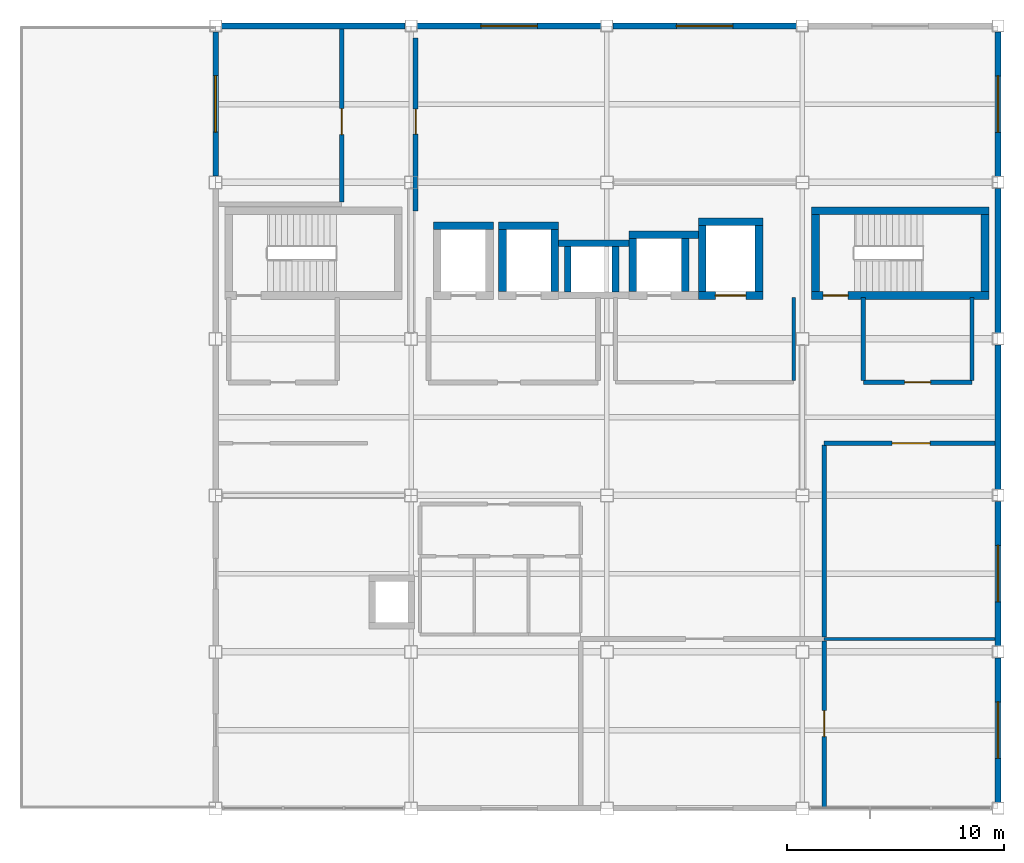
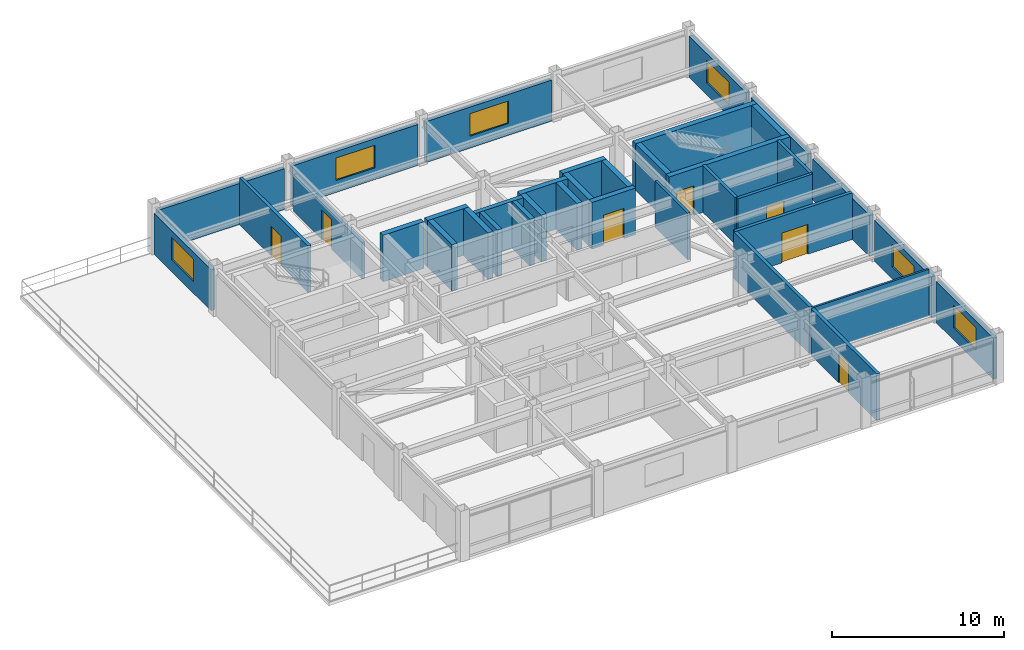
# One storey, part 7 of 11: 37 walls, 7 doors, 6 windows, 13 openings.
"""IFC4 building model written with IfcOpenShell, lengths in metres."""

from ifc_helpers import new_model, si_unit, direction, frame, frame_2d, origin, place, context, subcontext, project, spatial, rectangle, extrude, material, layer, layer_set, type_object, element, fill, save


model = new_model("IFC4")

# Units and contexts
model_context = context("Model", 3, precision=1e-05, world=origin(), true_north=direction((0.0, 1.0)))
body_context = subcontext(model_context, "Body", "Model", "MODEL_VIEW")
ifc_project = project(units=[si_unit("LENGTHUNIT", "METRE"), si_unit("AREAUNIT", "SQUARE_METRE"), si_unit("VOLUMEUNIT", "CUBIC_METRE"), si_unit("PLANEANGLEUNIT", "RADIAN"), si_unit("MASSUNIT", "GRAM", prefix="KILO")], contexts=[model_context])

# Site, building, storey
site_placement = place(None, origin())
site = spatial("IfcSite", under=ifc_project, at=site_placement, CompositionType="ELEMENT")
building_placement = place(site_placement, origin())
building = spatial("IfcBuilding", under=site, at=building_placement, Name="Kazanami Central Library", CompositionType="ELEMENT")
storey_placement = place(building_placement, frame((0.0, 0.0, 24.199951171875)))
storey = spatial("IfcBuildingStorey", under=building, at=storey_placement, Name="L07", CompositionType="ELEMENT", Elevation=24.199951171875)

# Wall
ifc_material_1 = material(Name="Concrete Fc36 (36 MPa)", Category="concrete")
ifc_layer_1 = layer(ifc_material_1, 0.179931640625, Name="Concrete Fc36 (36 MPa)")
ifc_material_2 = material(Name="Extruded Polystyrene XPS", Category="earth")
ifc_layer_2 = layer(ifc_material_2, 0.050048828125, Name="Extruded Polystyrene XPS")
ifc_material_3 = material(Name="Honed Inada Granite", Category="masonry")
ifc_layer_3 = layer(ifc_material_3, 0.030029296875, Name="Honed Inada Granite")
ifc_layer_set_1 = layer_set([ifc_layer_1, ifc_layer_2, ifc_layer_3], Name="Concrete Fc36 (36 MPa)")
wall_type_1 = type_object("IfcWallType", Name="WAL-EW-260", PredefinedType="STANDARD", material=ifc_layer_set_1)
wall_1_placement = place(storey_placement, frame((134.72509765625, 93.60009765625, 0.0), z_axis=(0.0, 0.0, 1.0), x_axis=(-1.0, 0.0, 0.0)))
element("IfcWall", 1, at=wall_1_placement, inside=storey, type_object=wall_type_1, Name="Exterior Facade Wall EW-260 L07 N-O-14", PredefinedType="STANDARD", context=body_context, shape_type="SweptSolid", body=[
    extrude(rectangle(XDim=8.4501953125, YDim=0.260009765625, at=frame_2d((4.22509765625, 0.0))), origin(), (0.0, 0.0, 1.0), 2.920166015625),
])

# Wall, opening, window
wall_2_placement = place(storey_placement, frame((143.72509765625, 93.60009765625, 0.0), z_axis=(0.0, 0.0, 1.0), x_axis=(-1.0, 0.0, 0.0)))
wall_2 = element("IfcWall", 2, at=wall_2_placement, inside=storey, type_object=wall_type_1, Name="Exterior Facade Wall EW-260 L07 N-O-15", PredefinedType="STANDARD", context=body_context, shape_type="SweptSolid", body=[
    extrude(rectangle(XDim=8.4501953125, YDim=0.260009765625, at=frame_2d((4.22509765625, 0.0))), origin(), (0.0, 0.0, 1.0), 2.920166015625),
])
opening_1_placement = place(wall_2_placement, frame((2.925048828125, 0.0, 0.85009765625)))
opening_1 = element("IfcOpeningElement", 3, at=opening_1_placement, cuts=wall_2, Name="Opening WN-13", PredefinedType="OPENING", context=body_context, shape_type="SweptSolid", body=[
    extrude(rectangle(XDim=2.60009765625, YDim=1.60009765625, at=frame_2d((1.300048828125, 0.800048828125))), frame((0.0, 0.14208984375, 0.0), z_axis=(0.0, -1.0, 0.0), x_axis=(1.0, 0.0, 0.0)), (0.0, 0.0, 1.0), 0.283935546875),
])
ifc_material_4 = material(Name="Low-E Insulated Triple Glass", Category="glass")
window_type = type_object("IfcWindowType", Name="WIN-WN-13", PartitioningType="DOUBLE_PANEL_VERTICAL", PredefinedType="WINDOW", material=ifc_material_4)
window_1_placement = place(opening_1_placement, origin())
window_1 = element("IfcWindow", 4, at=window_1_placement, inside=storey, type_object=window_type, Name="Facade Window WN-13 L07 N-O-15", OverallHeight=1.60009765625, OverallWidth=2.60009765625, PartitioningType="DOUBLE_PANEL_VERTICAL", PredefinedType="WINDOW", context=body_context, shape_type="SweptSolid", body=[
    extrude(rectangle(XDim=2.60009765625, YDim=1.60009765625, at=frame_2d((1.300048828125, 0.800048828125))), frame((0.0, 0.030029296875, 0.0), z_axis=(0.0, -1.0, 0.0), x_axis=(1.0, 0.0, 0.0)), (0.0, 0.0, 1.0), 0.06005859375),
])
fill(opening_1, window_1)

wall_3_placement = place(storey_placement, frame((152.72509765625, 93.60009765625, 0.0), z_axis=(0.0, 0.0, 1.0), x_axis=(-1.0, 0.0, 0.0)))
wall_3 = element("IfcWall", 5, at=wall_3_placement, inside=storey, type_object=wall_type_1, Name="Exterior Facade Wall EW-260 L07 N-O-16", PredefinedType="STANDARD", context=body_context, shape_type="SweptSolid", body=[
    extrude(rectangle(XDim=8.4501953125, YDim=0.260009765625, at=frame_2d((4.22509765625, 0.0))), origin(), (0.0, 0.0, 1.0), 2.920166015625),
])
opening_2_placement = place(wall_3_placement, frame((2.925048828125, 0.0, 0.85009765625)))
opening_2 = element("IfcOpeningElement", 6, at=opening_2_placement, cuts=wall_3, Name="Opening WN-13", PredefinedType="OPENING", context=body_context, shape_type="SweptSolid", body=[
    extrude(rectangle(XDim=2.60009765625, YDim=1.60009765625, at=frame_2d((1.300048828125, 0.800048828125))), frame((0.0, 0.14208984375, 0.0), z_axis=(0.0, -1.0, 0.0), x_axis=(1.0, 0.0, 0.0)), (0.0, 0.0, 1.0), 0.283935546875),
])
window_2_placement = place(opening_2_placement, origin())
window_2 = element("IfcWindow", 7, at=window_2_placement, inside=storey, type_object=window_type, Name="Facade Window WN-13 L07 N-O-16", OverallHeight=1.60009765625, OverallWidth=2.60009765625, PartitioningType="DOUBLE_PANEL_VERTICAL", PredefinedType="WINDOW", context=body_context, shape_type="SweptSolid", body=[
    extrude(rectangle(XDim=2.60009765625, YDim=1.60009765625, at=frame_2d((1.300048828125, 0.800048828125))), frame((0.0, 0.030029296875, 0.0), z_axis=(0.0, -1.0, 0.0), x_axis=(1.0, 0.0, 0.0)), (0.0, 0.0, 1.0), 0.06005859375),
])
fill(opening_2, window_2)

wall_4_placement = place(storey_placement, frame((126.0, 86.699951171875, 0.0), z_axis=(0.0, 0.0, 1.0), x_axis=(0.0, 1.0, 0.0)))
wall_4 = element("IfcWall", 8, at=wall_4_placement, inside=storey, type_object=wall_type_1, Name="Exterior Facade Wall EW-260 L07 W-15-12", PredefinedType="STANDARD", context=body_context, shape_type="SweptSolid", body=[
    extrude(rectangle(XDim=6.625, YDim=0.260009765625, at=frame_2d((3.3125, 0.0))), origin(), (0.0, 0.0, 1.0), 2.920166015625),
])
opening_3_placement = place(wall_4_placement, frame((2.012451171875, 0.0, 0.85009765625)))
opening_3 = element("IfcOpeningElement", 9, at=opening_3_placement, cuts=wall_4, Name="Opening WN-13", PredefinedType="OPENING", context=body_context, shape_type="SweptSolid", body=[
    extrude(rectangle(XDim=2.60009765625, YDim=1.60009765625, at=frame_2d((1.300048828125, 0.800048828125))), frame((0.0, 0.14208984375, 0.0), z_axis=(0.0, -1.0, 0.0), x_axis=(1.0, 0.0, 0.0)), (0.0, 0.0, 1.0), 0.283935546875),
])
window_3_placement = place(opening_3_placement, origin())
window_3 = element("IfcWindow", 10, at=window_3_placement, inside=storey, type_object=window_type, Name="Facade Window WN-13 L07 W-15-12", OverallHeight=1.60009765625, OverallWidth=2.60009765625, PartitioningType="DOUBLE_PANEL_VERTICAL", PredefinedType="WINDOW", context=body_context, shape_type="SweptSolid", body=[
    extrude(rectangle(XDim=2.60009765625, YDim=1.60009765625, at=frame_2d((1.300048828125, 0.800048828125))), frame((0.0, 0.030029296875, 0.0), z_axis=(0.0, -1.0, 0.0), x_axis=(1.0, 0.0, 0.0)), (0.0, 0.0, 1.0), 0.06005859375),
])
fill(opening_3, window_3)

wall_5_placement = place(storey_placement, frame((162.0, 64.52490234375, 0.0), z_axis=(0.0, 0.0, 1.0), x_axis=(0.0, -1.0, 0.0)))
wall_5 = element("IfcWall", 11, at=wall_5_placement, inside=storey, type_object=wall_type_1, Name="Exterior Facade Wall EW-260 L07 E-19-08", PredefinedType="STANDARD", context=body_context, shape_type="SweptSolid", body=[
    extrude(rectangle(XDim=6.64990234375, YDim=0.260009765625, at=frame_2d((3.324951171875, 0.0))), origin(), (0.0, 0.0, 1.0), 2.920166015625),
])
opening_4_placement = place(wall_5_placement, frame((2.02490234375, 0.0, 0.85009765625)))
opening_4 = element("IfcOpeningElement", 12, at=opening_4_placement, cuts=wall_5, Name="Opening WN-13", PredefinedType="OPENING", context=body_context, shape_type="SweptSolid", body=[
    extrude(rectangle(XDim=2.60009765625, YDim=1.60009765625, at=frame_2d((1.300048828125, 0.800048828125))), frame((0.0, 0.14208984375, 0.0), z_axis=(0.0, -1.0, 0.0), x_axis=(1.0, 0.0, 0.0)), (0.0, 0.0, 1.0), 0.283935546875),
])
window_4_placement = place(opening_4_placement, origin())
window_4 = element("IfcWindow", 13, at=window_4_placement, inside=storey, type_object=window_type, Name="Facade Window WN-13 L07 E-19-08", OverallHeight=1.60009765625, OverallWidth=2.60009765625, PartitioningType="DOUBLE_PANEL_VERTICAL", PredefinedType="WINDOW", context=body_context, shape_type="SweptSolid", body=[
    extrude(rectangle(XDim=2.60009765625, YDim=1.60009765625, at=frame_2d((1.300048828125, 0.800048828125))), frame((0.0, 0.030029296875, 0.0), z_axis=(0.0, -1.0, 0.0), x_axis=(1.0, 0.0, 0.0)), (0.0, 0.0, 1.0), 0.06005859375),
])
fill(opening_4, window_4)

wall_6_placement = place(storey_placement, frame((162.0, 71.72509765625, 0.0), z_axis=(0.0, 0.0, 1.0), x_axis=(0.0, -1.0, 0.0)))
wall_6 = element("IfcWall", 14, at=wall_6_placement, inside=storey, type_object=wall_type_1, Name="Exterior Facade Wall EW-260 L07 E-19-09", PredefinedType="STANDARD", context=body_context, shape_type="SweptSolid", body=[
    extrude(rectangle(XDim=6.650146484375, YDim=0.260009765625, at=frame_2d((3.3251953125, 0.0))), origin(), (0.0, 0.0, 1.0), 2.920166015625),
])
opening_5_placement = place(wall_6_placement, frame((2.02490234375, 0.0, 0.85009765625)))
opening_5 = element("IfcOpeningElement", 15, at=opening_5_placement, cuts=wall_6, Name="Opening WN-13", PredefinedType="OPENING", context=body_context, shape_type="SweptSolid", body=[
    extrude(rectangle(XDim=2.60009765625, YDim=1.60009765625, at=frame_2d((1.300048828125, 0.800048828125))), frame((0.0, 0.14208984375, 0.0), z_axis=(0.0, -1.0, 0.0), x_axis=(1.0, 0.0, 0.0)), (0.0, 0.0, 1.0), 0.283935546875),
])
window_5_placement = place(opening_5_placement, origin())
window_5 = element("IfcWindow", 16, at=window_5_placement, inside=storey, type_object=window_type, Name="Facade Window WN-13 L07 E-19-09", OverallHeight=1.60009765625, OverallWidth=2.60009765625, PartitioningType="DOUBLE_PANEL_VERTICAL", PredefinedType="WINDOW", context=body_context, shape_type="SweptSolid", body=[
    extrude(rectangle(XDim=2.60009765625, YDim=1.60009765625, at=frame_2d((1.300048828125, 0.800048828125))), frame((0.0, 0.030029296875, 0.0), z_axis=(0.0, -1.0, 0.0), x_axis=(1.0, 0.0, 0.0)), (0.0, 0.0, 1.0), 0.06005859375),
])
fill(opening_5, window_5)

# Walls
wall_7_placement = place(storey_placement, frame((162.0, 78.925048828125, 0.0), z_axis=(0.0, 0.0, 1.0), x_axis=(0.0, -1.0, 0.0)))
element("IfcWall", 17, at=wall_7_placement, inside=storey, type_object=wall_type_1, Name="Exterior Facade Wall EW-260 L07 E-19-10", PredefinedType="STANDARD", context=body_context, shape_type="SweptSolid", body=[
    extrude(rectangle(XDim=6.650146484375, YDim=0.260009765625, at=frame_2d((3.3251953125, 0.0))), origin(), (0.0, 0.0, 1.0), 2.920166015625),
])
wall_8_placement = place(storey_placement, frame((162.0, 86.125, 0.0), z_axis=(0.0, 0.0, 1.0), x_axis=(0.0, -1.0, 0.0)))
element("IfcWall", 18, at=wall_8_placement, inside=storey, type_object=wall_type_1, Name="Exterior Facade Wall EW-260 L07 E-19-11", PredefinedType="STANDARD", context=body_context, shape_type="SweptSolid", body=[
    extrude(rectangle(XDim=6.64990234375, YDim=0.260009765625, at=frame_2d((3.324951171875, 0.0))), origin(), (0.0, 0.0, 1.0), 2.920166015625),
])

# Wall, opening, window
wall_9_placement = place(storey_placement, frame((162.0, 93.324951171875, 0.0), z_axis=(0.0, 0.0, 1.0), x_axis=(0.0, -1.0, 0.0)))
wall_9 = element("IfcWall", 19, at=wall_9_placement, inside=storey, type_object=wall_type_1, Name="Exterior Facade Wall EW-260 L07 E-19-12", PredefinedType="STANDARD", context=body_context, shape_type="SweptSolid", body=[
    extrude(rectangle(XDim=6.64990234375, YDim=0.260009765625, at=frame_2d((3.324951171875, 0.0))), origin(), (0.0, 0.0, 1.0), 2.920166015625),
])
opening_6_placement = place(wall_9_placement, frame((2.02490234375, 0.0, 0.85009765625)))
opening_6 = element("IfcOpeningElement", 20, at=opening_6_placement, cuts=wall_9, Name="Opening WN-13", PredefinedType="OPENING", context=body_context, shape_type="SweptSolid", body=[
    extrude(rectangle(XDim=2.60009765625, YDim=1.60009765625, at=frame_2d((1.300048828125, 0.800048828125))), frame((0.0, 0.14208984375, 0.0), z_axis=(0.0, -1.0, 0.0), x_axis=(1.0, 0.0, 0.0)), (0.0, 0.0, 1.0), 0.283935546875),
])
window_6_placement = place(opening_6_placement, origin())
window_6 = element("IfcWindow", 21, at=window_6_placement, inside=storey, type_object=window_type, Name="Facade Window WN-13 L07 E-19-12", OverallHeight=1.60009765625, OverallWidth=2.60009765625, PartitioningType="DOUBLE_PANEL_VERTICAL", PredefinedType="WINDOW", context=body_context, shape_type="SweptSolid", body=[
    extrude(rectangle(XDim=2.60009765625, YDim=1.60009765625, at=frame_2d((1.300048828125, 0.800048828125))), frame((0.0, 0.030029296875, 0.0), z_axis=(0.0, -1.0, 0.0), x_axis=(1.0, 0.0, 0.0)), (0.0, 0.0, 1.0), 0.06005859375),
])
fill(opening_6, window_6)

# Wall
ifc_material_5 = material(Name="Fire-Resistant Gypsum Board GB-F", Category="gypsum")
ifc_layer_4 = layer(ifc_material_5, 0.1650390625, Name="Fire-Resistant Gypsum Board GB-F")
ifc_layer_set_2 = layer_set([ifc_layer_4], Name="Fire-Resistant Gypsum Board GB-F")
wall_type_2 = type_object("IfcWallType", Name="WAL-FW-165", PredefinedType="PARTITIONING", material=ifc_layer_set_2)
wall_10_placement = place(storey_placement, frame((152.60009765625, 77.2900390625, 0.0), z_axis=(0.0, 0.0, 1.0), x_axis=(0.0, 1.0, 0.0)))
element("IfcWall", 22, at=wall_10_placement, inside=storey, type_object=wall_type_2, Name="Interior Partition FW-165 L07 LOBBY-V2 (East)", PredefinedType="PARTITIONING", context=body_context, shape_type="SweptSolid", body=[
    extrude(rectangle(XDim=3.820068359375, YDim=0.1650390625, at=frame_2d((1.91015625, 0.0))), origin(), (0.0, 0.0, 1.0), 3.320068359375),
])

# Wall, opening, door
ifc_layer_5 = layer(ifc_material_5, 0.199951171875, Name="Fire-Resistant Gypsum Board GB-F")
ifc_layer_set_3 = layer_set([ifc_layer_5], Name="Fire-Resistant Gypsum Board GB-F")
wall_type_3 = type_object("IfcWallType", Name="WAL-FW-200", PredefinedType="PARTITIONING", material=ifc_layer_set_3)
wall_11_placement = place(storey_placement, frame((155.800048828125, 77.199951171875, 0.0), z_axis=(0.0, 0.0, 1.0), x_axis=(1.0, 0.0, 0.0)))
wall_11 = element("IfcWall", 23, at=wall_11_placement, inside=storey, type_object=wall_type_3, Name="Interior Partition FW-200 L07 VEST-ST-02 (South)", PredefinedType="PARTITIONING", context=body_context, shape_type="SweptSolid", body=[
    extrude(rectangle(XDim=5.0, YDim=0.199951171875, at=frame_2d((2.5, 0.0))), origin(), (0.0, 0.0, 1.0), 3.320068359375),
])
opening_7_placement = place(wall_11_placement, frame((1.89990234375, 0.0, 0.0)))
opening_7 = element("IfcOpeningElement", 24, at=opening_7_placement, cuts=wall_11, Name="Opening FD60-1", PredefinedType="OPENING", context=body_context, shape_type="SweptSolid", body=[
    extrude(rectangle(XDim=1.199951171875, YDim=2.10009765625, at=frame_2d((0.60009765625, 1.050048828125))), frame((0.0, 0.11181640625, 0.0), z_axis=(0.0, -1.0, 0.0), x_axis=(1.0, 0.0, 0.0)), (0.0, 0.0, 1.0), 0.223876953125),
])
ifc_material_6 = material(Name="Cold-Rolled Steel SPCC", Category="steel")
door_type_1 = type_object("IfcDoorType", Name="DOR-FD60-1", OperationType="NOTDEFINED", PredefinedType="DOOR", material=ifc_material_6)
door_1_placement = place(opening_7_placement, origin())
door_1 = element("IfcDoor", 25, at=door_1_placement, inside=storey, type_object=door_type_1, Name="Interior Door FD60-1 L07 VEST-ST-02", OperationType="SINGLE_SWING_LEFT", OverallHeight=2.10009765625, OverallWidth=1.199951171875, PredefinedType="DOOR", context=body_context, shape_type="SweptSolid", body=[
    extrude(rectangle(XDim=1.199951171875, YDim=2.10009765625, at=frame_2d((0.60009765625, 1.050048828125))), frame((0.0, 0.02490234375, 0.0), z_axis=(0.0, -1.0, 0.0), x_axis=(1.0, 0.0, 0.0)), (0.0, 0.0, 1.0), 0.050048828125),
])
fill(opening_7, door_1)

# Walls
for number, where, z_axis, x_axis, name in (
    (26, (155.800048828125, 77.2900390625, 0.0), (0.0, 0.0, 1.0), (0.0, 1.0, 0.0), "Interior Partition FW-200 L07 VEST-ST-02 (West)"),
    (27, (160.800048828125, 77.2900390625, 0.0), (0.0, 0.0, 1.0), (0.0, 1.0, 0.0), "Interior Partition FW-200 L07 VEST-ST-02 (East)"),
):
    element("IfcWall", number, at=place(storey_placement, frame(where, z_axis=z_axis, x_axis=x_axis)), inside=storey, type_object=wall_type_3, Name=name, PredefinedType="PARTITIONING", context=body_context, shape_type="SweptSolid", body=[
        extrude(rectangle(XDim=3.820068359375, YDim=0.199951171875, at=frame_2d((1.91015625, 0.0))), origin(), (0.0, 0.0, 1.0), 3.320068359375),
    ])

# Wall, opening, door
ifc_layer_6 = layer(ifc_material_5, 0.219970703125, Name="Fire-Resistant Gypsum Board GB-F")
ifc_layer_set_4 = layer_set([ifc_layer_6], Name="Fire-Resistant Gypsum Board GB-F")
wall_type_4 = type_object("IfcWallType", Name="WAL-FW-220", PredefinedType="PARTITIONING", material=ifc_layer_set_4)
wall_12_placement = place(storey_placement, frame((154.0, 57.635009765625, 0.0), z_axis=(0.0, 0.0, 1.0), x_axis=(0.0, 1.0, 0.0)))
wall_12 = element("IfcWall", 28, at=wall_12_placement, inside=storey, type_object=wall_type_4, Name="Interior Partition FW-220 L07 RM-06 (East)", PredefinedType="PARTITIONING", context=body_context, shape_type="SweptSolid", body=[
    extrude(rectangle(XDim=7.675048828125, YDim=0.219970703125, at=frame_2d((3.83740234375, 0.0))), origin(), (0.0, 0.0, 1.0), 3.320068359375),
])
opening_8_placement = place(wall_12_placement, frame((3.264892578125, 0.0, 0.0)))
opening_8 = element("IfcOpeningElement", 29, at=opening_8_placement, cuts=wall_12, Name="Opening FD60-1", PredefinedType="OPENING", context=body_context, shape_type="SweptSolid", body=[
    extrude(rectangle(XDim=1.199951171875, YDim=2.10009765625, at=frame_2d((0.60009765625, 1.050048828125))), frame((0.0, 0.1220703125, 0.0), z_axis=(0.0, -1.0, 0.0), x_axis=(1.0, 0.0, 0.0)), (0.0, 0.0, 1.0), 0.243896484375),
])
door_2_placement = place(opening_8_placement, origin())
door_2 = element("IfcDoor", 30, at=door_2_placement, inside=storey, type_object=door_type_1, Name="Interior Door FD60-1 L07 RM-07", OperationType="SINGLE_SWING_RIGHT", OverallHeight=2.10009765625, OverallWidth=1.199951171875, PredefinedType="DOOR", context=body_context, shape_type="SweptSolid", body=[
    extrude(rectangle(XDim=1.199951171875, YDim=2.10009765625, at=frame_2d((0.60009765625, 1.050048828125))), frame((0.0, 0.02490234375, 0.0), z_axis=(0.0, -1.0, 0.0), x_axis=(1.0, 0.0, 0.0)), (0.0, 0.0, 1.0), 0.050048828125),
])
fill(opening_8, door_2)

wall_13_placement = place(storey_placement, frame((154.0, 74.39990234375, 0.0), z_axis=(0.0, 0.0, 1.0), x_axis=(1.0, 0.0, 0.0)))
wall_13 = element("IfcWall", 31, at=wall_13_placement, inside=storey, type_object=wall_type_4, Name="Interior Partition FW-220 L07 RM-08 (North)", PredefinedType="PARTITIONING", context=body_context, shape_type="SweptSolid", body=[
    extrude(rectangle(XDim=7.864990234375, YDim=0.219970703125, at=frame_2d((3.9326171875, 0.0))), origin(), (0.0, 0.0, 1.0), 3.320068359375),
])
opening_9_placement = place(wall_13_placement, frame((3.125, 0.0, 0.0)))
opening_9 = element("IfcOpeningElement", 32, at=opening_9_placement, cuts=wall_13, Name="Opening FD60-5", PredefinedType="OPENING", context=body_context, shape_type="SweptSolid", body=[
    extrude(rectangle(XDim=1.75, YDim=2.1201171875, at=frame_2d((0.875, 1.06005859375))), frame((0.0, 0.1220703125, 0.0), z_axis=(0.0, -1.0, 0.0), x_axis=(1.0, 0.0, 0.0)), (0.0, 0.0, 1.0), 0.243896484375),
])
door_type_2 = type_object("IfcDoorType", Name="DOR-FD60-5", OperationType="DOUBLE_DOOR_SINGLE_SWING", PredefinedType="DOOR", material=ifc_material_6)
door_3_placement = place(opening_9_placement, origin())
door_3 = element("IfcDoor", 33, at=door_3_placement, inside=storey, type_object=door_type_2, Name="Interior Door FD60-5 L07 RM-08", OperationType="DOUBLE_DOOR_SINGLE_SWING", OverallHeight=2.1201171875, OverallWidth=1.75, PredefinedType="DOOR", context=body_context, shape_type="SweptSolid", body=[
    extrude(rectangle(XDim=1.75, YDim=2.1201171875, at=frame_2d((0.875, 1.06005859375))), frame((0.0, 0.02490234375, 0.0), z_axis=(0.0, -1.0, 0.0), x_axis=(1.0, 0.0, 0.0)), (0.0, 0.0, 1.0), 0.050048828125),
])
fill(opening_9, door_3)

# Wall
wall_14_placement = place(storey_placement, frame((154.0, 65.489990234375, 0.0), z_axis=(0.0, 0.0, 1.0), x_axis=(0.0, 1.0, 0.0)))
element("IfcWall", 34, at=wall_14_placement, inside=storey, type_object=wall_type_4, Name="Interior Partition FW-220 L07 RM-08 (West)", PredefinedType="PARTITIONING", context=body_context, shape_type="SweptSolid", body=[
    extrude(rectangle(XDim=8.820068359375, YDim=0.219970703125, at=frame_2d((4.41015625, 0.0))), origin(), (0.0, 0.0, 1.0), 3.320068359375),
])

# Wall, opening, door
wall_15_placement = place(storey_placement, frame((131.800048828125, 85.489990234375, 0.0), z_axis=(0.0, 0.0, 1.0), x_axis=(0.0, 1.0, 0.0)))
wall_15 = element("IfcWall", 35, at=wall_15_placement, inside=storey, type_object=wall_type_4, Name="Interior Partition FW-220 L07 RM-09 (East)", PredefinedType="PARTITIONING", context=body_context, shape_type="SweptSolid", body=[
    extrude(rectangle(XDim=7.97509765625, YDim=0.219970703125, at=frame_2d((3.987548828125, 0.0))), origin(), (0.0, 0.0, 1.0), 3.320068359375),
])
opening_10_placement = place(wall_15_placement, frame((3.110107421875, 0.0, 0.0)))
opening_10 = element("IfcOpeningElement", 36, at=opening_10_placement, cuts=wall_15, Name="Opening FD60-1", PredefinedType="OPENING", context=body_context, shape_type="SweptSolid", body=[
    extrude(rectangle(XDim=1.199951171875, YDim=2.10009765625, at=frame_2d((0.60009765625, 1.050048828125))), frame((0.0, 0.1220703125, 0.0), z_axis=(0.0, -1.0, 0.0), x_axis=(1.0, 0.0, 0.0)), (0.0, 0.0, 1.0), 0.243896484375),
])
door_4_placement = place(opening_10_placement, origin())
door_4 = element("IfcDoor", 37, at=door_4_placement, inside=storey, type_object=door_type_1, Name="Interior Door FD60-1 L07 RM-09", OperationType="SINGLE_SWING_LEFT", OverallHeight=2.10009765625, OverallWidth=1.199951171875, PredefinedType="DOOR", context=body_context, shape_type="SweptSolid", body=[
    extrude(rectangle(XDim=1.199951171875, YDim=2.10009765625, at=frame_2d((0.60009765625, 1.050048828125))), frame((0.0, 0.02490234375, 0.0), z_axis=(0.0, -1.0, 0.0), x_axis=(1.0, 0.0, 0.0)), (0.0, 0.0, 1.0), 0.050048828125),
])
fill(opening_10, door_4)

wall_16_placement = place(storey_placement, frame((135.199951171875, 85.090087890625, 0.0), z_axis=(0.0, 0.0, 1.0), x_axis=(0.0, 1.0, 0.0)))
wall_16 = element("IfcWall", 38, at=wall_16_placement, inside=storey, type_object=wall_type_4, Name="Interior Partition FW-220 L07 RM-10 (West)", PredefinedType="PARTITIONING", context=body_context, shape_type="SweptSolid", body=[
    extrude(rectangle(XDim=7.954833984375, YDim=0.219970703125, at=frame_2d((3.9775390625, 0.0))), origin(), (0.0, 0.0, 1.0), 2.60009765625),
])
opening_11_placement = place(wall_16_placement, frame((3.534912109375, 0.0, 0.0)))
opening_11 = element("IfcOpeningElement", 39, at=opening_11_placement, cuts=wall_16, Name="Opening FD60-2", PredefinedType="OPENING", context=body_context, shape_type="SweptSolid", body=[
    extrude(rectangle(XDim=1.14990234375, YDim=2.10009765625, at=frame_2d((0.574951171875, 1.050048828125))), frame((0.0, 0.1220703125, 0.0), z_axis=(0.0, -1.0, 0.0), x_axis=(1.0, 0.0, 0.0)), (0.0, 0.0, 1.0), 0.243896484375),
])
door_type_3 = type_object("IfcDoorType", Name="DOR-FD60-2", OperationType="NOTDEFINED", PredefinedType="DOOR", material=ifc_material_6)
door_5_placement = place(opening_11_placement, origin())
door_5 = element("IfcDoor", 40, at=door_5_placement, inside=storey, type_object=door_type_3, Name="Interior Door FD60-2 L07 RM-10", OperationType="SINGLE_SWING_RIGHT", OverallHeight=2.10009765625, OverallWidth=1.14990234375, PredefinedType="DOOR", context=body_context, shape_type="SweptSolid", body=[
    extrude(rectangle(XDim=1.14990234375, YDim=2.10009765625, at=frame_2d((0.574951171875, 1.050048828125))), frame((0.0, 0.02490234375, 0.0), z_axis=(0.0, -1.0, 0.0), x_axis=(1.0, 0.0, 0.0)), (0.0, 0.0, 1.0), 0.050048828125),
])
fill(opening_11, door_5)

# Walls
ifc_material_7 = material(Name="Gypsum Plasterboard GB-R", Category="gypsum")
ifc_layer_7 = layer(ifc_material_7, 0.135009765625, Name="Gypsum Plasterboard GB-R")
ifc_layer_set_5 = layer_set([ifc_layer_7], Name="Gypsum Plasterboard GB-R")
wall_type_5 = type_object("IfcWallType", Name="WAL-PW-135", PredefinedType="PARTITIONING", material=ifc_layer_set_5)
wall_17_placement = place(storey_placement, frame((154.0, 65.39990234375, 0.0), z_axis=(0.0, 0.0, 1.0), x_axis=(1.0, 0.0, 0.0)))
element("IfcWall", 41, at=wall_17_placement, inside=storey, type_object=wall_type_5, Name="Interior Partition PW-135 L07 RM-07 (North)", PredefinedType="PARTITIONING", context=body_context, shape_type="SweptSolid", body=[
    extrude(rectangle(XDim=7.864990234375, YDim=0.135009765625, at=frame_2d((3.9326171875, 0.0))), origin(), (0.0, 0.0, 1.0), 3.320068359375),
])
ifc_layer_8 = layer(ifc_material_1, 0.300048828125, Name="Concrete Fc36 (36 MPa)")
ifc_layer_set_6 = layer_set([ifc_layer_8], Name="Concrete Fc36 (36 MPa)")
wall_type_6 = type_object("IfcWallType", Name="WAL-SW-300", PredefinedType="SHEAR", material=ifc_layer_set_6)
wall_18_placement = place(storey_placement, frame((141.77490234375, 83.60009765625, 0.0), z_axis=(0.0, 0.0, 1.0), x_axis=(1.0, 0.0, 0.0)))
element("IfcWall", 42, at=wall_18_placement, inside=storey, type_object=wall_type_6, Name="Service Riser Wall RSR-V2-A N L07", PredefinedType="SHEAR", context=body_context, shape_type="SweptSolid", body=[
    extrude(rectangle(XDim=3.25, YDim=0.300048828125, at=frame_2d((1.625, 0.0))), origin(), (0.0, 0.0, 1.0), 3.320068359375),
])
for number, where, z_axis, x_axis, name in (
    (43, (142.199951171875, 81.35009765625, 0.0), (0.0, 0.0, 1.0), (0.0, 1.0, 0.0), "Service Riser Wall RSR-V2-A W L07"),
    (44, (144.39990234375, 81.35009765625, 0.0), (0.0, 0.0, 1.0), (0.0, 1.0, 0.0), "Service Riser Wall RSR-V2-A E L07"),
):
    element("IfcWall", number, at=place(storey_placement, frame(where, z_axis=z_axis, x_axis=x_axis)), inside=storey, type_object=wall_type_6, Name=name, PredefinedType="SHEAR", context=body_context, shape_type="SweptSolid", body=[
        extrude(rectangle(XDim=2.099853515625, YDim=0.300048828125, at=frame_2d((1.0498046875, 0.0))), origin(), (0.0, 0.0, 1.0), 3.320068359375),
    ])

# Wall, opening, door
ifc_layer_9 = layer(ifc_material_1, 0.35009765625, Name="Concrete Fc36 (36 MPa)")
ifc_layer_set_7 = layer_set([ifc_layer_9], Name="Concrete Fc36 (36 MPa)")
wall_type_7 = type_object("IfcWallType", Name="WAL-SW-350", PredefinedType="SHEAR", material=ifc_layer_set_7)
wall_19_placement = place(storey_placement, frame((153.425048828125, 81.199951171875, 0.0), z_axis=(0.0, 0.0, 1.0), x_axis=(1.0, 0.0, 0.0)))
wall_19 = element("IfcWall", 45, at=wall_19_placement, inside=storey, type_object=wall_type_7, Name="Stair Core Wall ST-02 South L07", PredefinedType="SHEAR", context=body_context, shape_type="SweptSolid", body=[
    extrude(rectangle(XDim=8.14990234375, YDim=0.35009765625, at=frame_2d((4.074951171875, 0.0))), origin(), (0.0, 0.0, 1.0), 3.320068359375),
])
opening_12_placement = place(wall_19_placement, frame((0.52490234375, 0.0, 0.0)))
opening_12 = element("IfcOpeningElement", 46, at=opening_12_placement, cuts=wall_19, Name="Opening FD60-2", PredefinedType="OPENING", context=body_context, shape_type="SweptSolid", body=[
    extrude(rectangle(XDim=1.14990234375, YDim=2.10009765625, at=frame_2d((0.574951171875, 1.050048828125))), frame((0.0, 0.18701171875, 0.0), z_axis=(0.0, -1.0, 0.0), x_axis=(1.0, 0.0, 0.0)), (0.0, 0.0, 1.0), 0.3740234375),
])
door_6_placement = place(opening_12_placement, origin())
door_6 = element("IfcDoor", 47, at=door_6_placement, inside=storey, type_object=door_type_3, Name="Escape Stair ST-02 Fire Door L07", OperationType="SINGLE_SWING_RIGHT", OverallHeight=2.10009765625, OverallWidth=1.14990234375, PredefinedType="DOOR", context=body_context, shape_type="SweptSolid", body=[
    extrude(rectangle(XDim=1.14990234375, YDim=2.10009765625, at=frame_2d((0.574951171875, 1.050048828125))), frame((0.0, 0.02490234375, 0.0), z_axis=(0.0, -1.0, 0.0), x_axis=(1.0, 0.0, 0.0)), (0.0, 0.0, 1.0), 0.050048828125),
])
fill(opening_12, door_6)

# Walls
wall_20_placement = place(storey_placement, frame((153.425048828125, 85.10009765625, 0.0), z_axis=(0.0, 0.0, 1.0), x_axis=(1.0, 0.0, 0.0)))
element("IfcWall", 48, at=wall_20_placement, inside=storey, type_object=wall_type_7, Name="Stair Core Wall ST-02 North L07", PredefinedType="SHEAR", context=body_context, shape_type="SweptSolid", body=[
    extrude(rectangle(XDim=8.14990234375, YDim=0.35009765625, at=frame_2d((4.074951171875, 0.0))), origin(), (0.0, 0.0, 1.0), 3.320068359375),
])
for number, where, z_axis, x_axis, name in (
    (49, (153.60009765625, 81.375, 0.0), (0.0, 0.0, 1.0), (0.0, 1.0, 0.0), "Stair Core Wall ST-02 West L07"),
    (50, (161.39990234375, 81.375, 0.0), (0.0, 0.0, 1.0), (0.0, 1.0, 0.0), "Stair Core Wall ST-02 East L07"),
):
    element("IfcWall", number, at=place(storey_placement, frame(where, z_axis=z_axis, x_axis=x_axis)), inside=storey, type_object=wall_type_7, Name=name, PredefinedType="SHEAR", context=body_context, shape_type="SweptSolid", body=[
        extrude(rectangle(XDim=3.550048828125, YDim=0.35009765625, at=frame_2d((1.77490234375, 0.0))), origin(), (0.0, 0.0, 1.0), 3.320068359375),
    ])
for number, where, z_axis, x_axis, name in (
    (51, (136.02490234375, 84.39990234375, 0.0), (0.0, 0.0, 1.0), (1.0, 0.0, 0.0), "Lift Shaft Wall EL-F1 North L07"),
    (52, (139.02490234375, 84.39990234375, 0.0), (0.0, 0.0, 1.0), (1.0, 0.0, 0.0), "Lift Shaft Wall EL-F2 North L07"),
):
    element("IfcWall", number, at=place(storey_placement, frame(where, z_axis=z_axis, x_axis=x_axis)), inside=storey, type_object=wall_type_7, Name=name, PredefinedType="SHEAR", context=body_context, shape_type="SweptSolid", body=[
        extrude(rectangle(XDim=2.75, YDim=0.35009765625, at=frame_2d((1.375, 0.0))), origin(), (0.0, 0.0, 1.0), 3.320068359375),
    ])
for number, where, z_axis, x_axis, name in (
    (53, (139.199951171875, 81.375, 0.0), (0.0, 0.0, 1.0), (0.0, 1.0, 0.0), "Lift Shaft Wall EL-F2 West L07"),
    (54, (141.60009765625, 81.375, 0.0), (0.0, 0.0, 1.0), (0.0, 1.0, 0.0), "Lift Shaft Wall EL-F2 East L07"),
):
    element("IfcWall", number, at=place(storey_placement, frame(where, z_axis=z_axis, x_axis=x_axis)), inside=storey, type_object=wall_type_7, Name=name, PredefinedType="SHEAR", context=body_context, shape_type="SweptSolid", body=[
        extrude(rectangle(XDim=2.85009765625, YDim=0.35009765625, at=frame_2d((1.425048828125, 0.0))), origin(), (0.0, 0.0, 1.0), 3.320068359375),
    ])
wall_21_placement = place(storey_placement, frame((145.02490234375, 84.0, 0.0), z_axis=(0.0, 0.0, 1.0), x_axis=(1.0, 0.0, 0.0)))
element("IfcWall", 55, at=wall_21_placement, inside=storey, type_object=wall_type_7, Name="Lift Shaft Wall EL-P1 North L07", PredefinedType="SHEAR", context=body_context, shape_type="SweptSolid", body=[
    extrude(rectangle(XDim=3.2001953125, YDim=0.35009765625, at=frame_2d((1.60009765625, 0.0))), origin(), (0.0, 0.0, 1.0), 3.320068359375),
])
for number, where, z_axis, x_axis, name in (
    (56, (145.199951171875, 81.375, 0.0), (0.0, 0.0, 1.0), (0.0, 1.0, 0.0), "Lift Shaft Wall EL-P1 West L07"),
    (57, (147.60009765625, 81.375, 0.0), (0.0, 0.0, 1.0), (0.0, 1.0, 0.0), "Lift Shaft Wall EL-P1 East L07"),
):
    element("IfcWall", number, at=place(storey_placement, frame(where, z_axis=z_axis, x_axis=x_axis)), inside=storey, type_object=wall_type_7, Name=name, PredefinedType="SHEAR", context=body_context, shape_type="SweptSolid", body=[
        extrude(rectangle(XDim=2.449951171875, YDim=0.35009765625, at=frame_2d((1.22509765625, 0.0))), origin(), (0.0, 0.0, 1.0), 3.320068359375),
    ])

# Wall, opening, door
wall_22_placement = place(storey_placement, frame((148.22509765625, 81.199951171875, 0.0), z_axis=(0.0, 0.0, 1.0), x_axis=(1.0, 0.0, 0.0)))
wall_22 = element("IfcWall", 58, at=wall_22_placement, inside=storey, type_object=wall_type_7, Name="Lift Shaft Wall EL-S1 South L07", PredefinedType="SHEAR", context=body_context, shape_type="SweptSolid", body=[
    extrude(rectangle(XDim=2.949951171875, YDim=0.35009765625, at=frame_2d((1.47509765625, 0.0))), origin(), (0.0, 0.0, 1.0), 3.320068359375),
])
opening_13_placement = place(wall_22_placement, frame((0.77490234375, 0.0, 0.0)))
opening_13 = element("IfcOpeningElement", 59, at=opening_13_placement, cuts=wall_22, Name="Opening LD-03", PredefinedType="OPENING", context=body_context, shape_type="SweptSolid", body=[
    extrude(rectangle(XDim=1.39990234375, YDim=2.14990234375, at=frame_2d((0.699951171875, 1.074951171875))), frame((0.0, 0.18701171875, 0.0), z_axis=(0.0, -1.0, 0.0), x_axis=(1.0, 0.0, 0.0)), (0.0, 0.0, 1.0), 0.3740234375),
])
ifc_material_8 = material(Name="Stainless Steel SUS304", Category="steel")
door_type_4 = type_object("IfcDoorType", Name="DOR-LD-03", OperationType="SLIDING_TO_LEFT", PredefinedType="DOOR", material=ifc_material_8)
door_7_placement = place(opening_13_placement, origin())
door_7 = element("IfcDoor", 60, at=door_7_placement, inside=storey, type_object=door_type_4, Name="Lift Landing Sliding Door EL-S1 (L07)", OperationType="SLIDING_TO_LEFT", OverallHeight=2.14990234375, OverallWidth=1.39990234375, PredefinedType="DOOR", context=body_context, shape_type="SweptSolid", body=[
    extrude(rectangle(XDim=1.39990234375, YDim=2.14990234375, at=frame_2d((0.699951171875, 1.074951171875))), frame((0.0, 0.02490234375, 0.0), z_axis=(0.0, -1.0, 0.0), x_axis=(1.0, 0.0, 0.0)), (0.0, 0.0, 1.0), 0.050048828125),
])
fill(opening_13, door_7)

# Walls
wall_23_placement = place(storey_placement, frame((148.22509765625, 84.60009765625, 0.0), z_axis=(0.0, 0.0, 1.0), x_axis=(1.0, 0.0, 0.0)))
element("IfcWall", 61, at=wall_23_placement, inside=storey, type_object=wall_type_7, Name="Lift Shaft Wall EL-S1 North L07", PredefinedType="SHEAR", context=body_context, shape_type="SweptSolid", body=[
    extrude(rectangle(XDim=2.949951171875, YDim=0.35009765625, at=frame_2d((1.47509765625, 0.0))), origin(), (0.0, 0.0, 1.0), 3.320068359375),
])
for number, where, z_axis, x_axis, name in (
    (62, (148.39990234375, 81.375, 0.0), (0.0, 0.0, 1.0), (0.0, 1.0, 0.0), "Lift Shaft Wall EL-S1 West L07"),
    (63, (151.0, 81.375, 0.0), (0.0, 0.0, 1.0), (0.0, 1.0, 0.0), "Lift Shaft Wall EL-S1 East L07"),
):
    element("IfcWall", number, at=place(storey_placement, frame(where, z_axis=z_axis, x_axis=x_axis)), inside=storey, type_object=wall_type_7, Name=name, PredefinedType="SHEAR", context=body_context, shape_type="SweptSolid", body=[
        extrude(rectangle(XDim=3.050048828125, YDim=0.35009765625, at=frame_2d((1.52490234375, 0.0))), origin(), (0.0, 0.0, 1.0), 3.320068359375),
    ])

save(model, "model.ifc")
